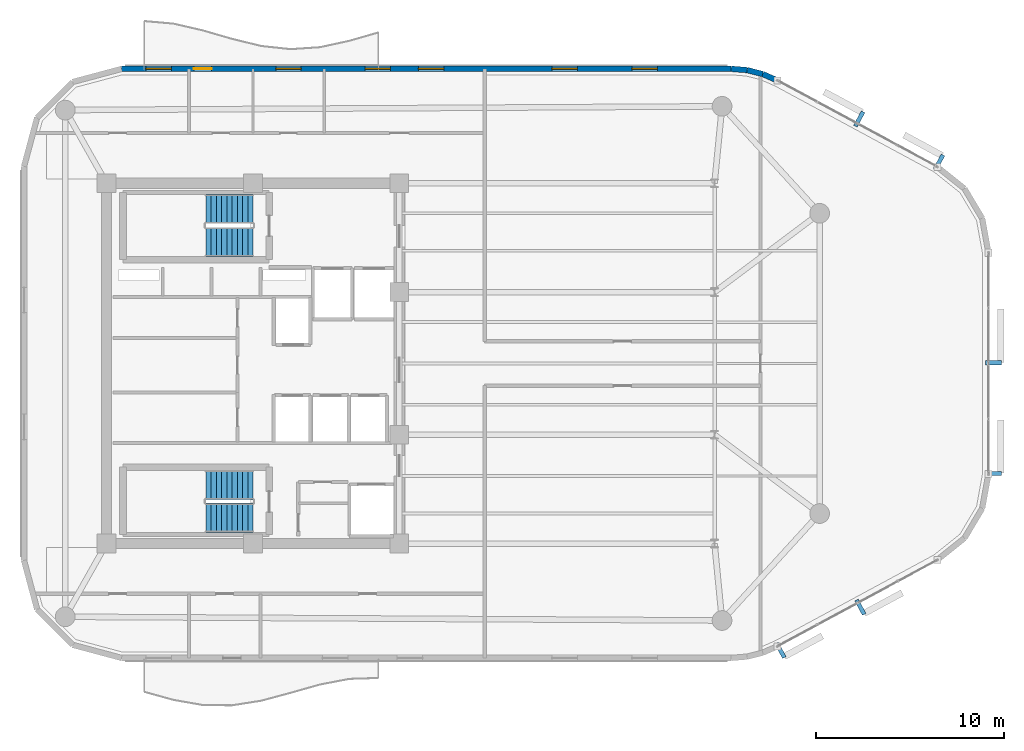
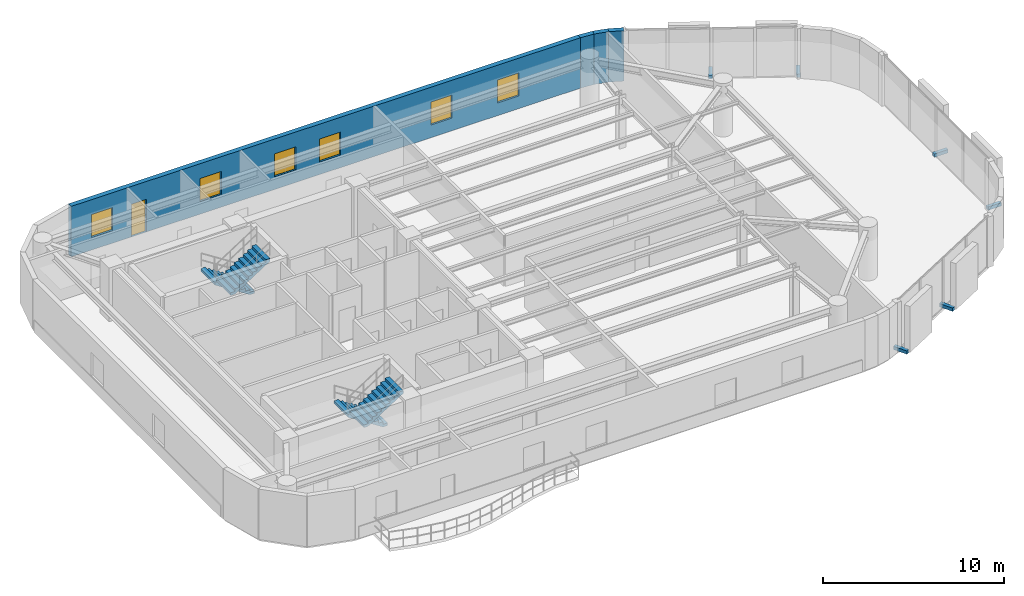
# One storey, part 11 of 13: 6 discrete accessories, 6 windows, 4 stair flights, 4 walls, 1 door, 7 openings, 2 elements without a shape of their own.
"""IFC4 building model written with IfcOpenShell, lengths in metres."""

from ifc_helpers import new_model, si_unit, direction, frame, frame_2d, origin, origin_2d, place, context, subcontext, project, spatial, polyline, rectangle, outline, extrude, material, layer, layer_set, type_object, element, fill, aggregate, save


model = new_model("IFC4")

# Units and contexts
model_context = context("Model", 3, precision=1e-05, world=origin(), true_north=direction((0.0, 1.0)))
body_context = subcontext(model_context, "Body", "Model", "MODEL_VIEW")
ifc_project = project(units=[si_unit("LENGTHUNIT", "METRE"), si_unit("AREAUNIT", "SQUARE_METRE"), si_unit("VOLUMEUNIT", "CUBIC_METRE"), si_unit("PLANEANGLEUNIT", "RADIAN"), si_unit("MASSUNIT", "GRAM", prefix="KILO")], contexts=[model_context])

# Site, building, storey
site_placement = place(None, origin())
site = spatial("IfcSite", under=ifc_project, at=site_placement, CompositionType="ELEMENT")
building_placement = place(site_placement, origin())
building = spatial("IfcBuilding", under=site, at=building_placement, Name="An Khanh Terracotta Commons", CompositionType="ELEMENT")
storey_placement = place(building_placement, frame((0.0, 0.0, 237.300048828125)))
storey = spatial("IfcBuildingStorey", under=building, at=storey_placement, Name="L62", CompositionType="ELEMENT", Elevation=237.300048828125)

# Walls
ifc_material_1 = material(Name="Precast concrete C40/50", Category="concrete")
ifc_layer = layer(ifc_material_1, 0.300048828125, Name="Precast concrete C40/50")
ifc_layer_set = layer_set([ifc_layer], Name="Precast concrete C40/50")
wall_type = type_object("IfcWallType", Name="WALL-EXT-300", PredefinedType="SOLIDWALL", material=ifc_layer_set)
wall_1_placement = place(storey_placement, frame((57.35693359375, 39.074951171875, 0.0), z_axis=(0.0, 0.0, 1.0), x_axis=(-0.916085473636, 0.400983048261, 0.0)))
element("IfcWall", 1, at=wall_1_placement, inside=storey, type_object=wall_type, Name="L62 Insulated Terracotta Exterior Wall 17", PredefinedType="SOLIDWALL", context=body_context, shape_type="SweptSolid", body=[
    extrude(rectangle(XDim=0.85791015625, YDim=0.300048828125, at=frame_2d((0.428955078125, 0.0))), origin(), (0.0, 0.0, 1.0), 3.39990234375),
])
wall_2_placement = place(storey_placement, frame((56.571044921875, 39.4189453125, 0.0), z_axis=(0.0, 0.0, 1.0), x_axis=(-0.969536346338, 0.244947490555, 0.0)))
element("IfcWall", 2, at=wall_2_placement, inside=storey, type_object=wall_type, Name="L62 Insulated Terracotta Exterior Wall 18", PredefinedType="SOLIDWALL", context=body_context, shape_type="SweptSolid", body=[
    extrude(rectangle(XDim=0.857177734375, YDim=0.300048828125, at=frame_2d((0.4287109375, 0.0))), origin(), (0.0, 0.0, 1.0), 3.39990234375),
])
wall_3_placement = place(storey_placement, frame((55.739990234375, 39.62890625, 0.0), z_axis=(0.0, 0.0, 1.0), x_axis=(-0.996565355958, 0.082809971041, 0.0)))
element("IfcWall", 3, at=wall_3_placement, inside=storey, type_object=wall_type, Name="L62 Insulated Terracotta Exterior Wall 19", PredefinedType="SOLIDWALL", context=body_context, shape_type="SweptSolid", body=[
    extrude(rectangle(XDim=0.85791015625, YDim=0.300048828125, at=frame_2d((0.428955078125, 0.0))), origin(), (0.0, 0.0, 1.0), 3.39990234375),
])

# Wall, openings, door, windows
wall_4_placement = place(storey_placement, frame((54.885009765625, 39.699951171875, 0.0), z_axis=(0.0, 0.0, 1.0), x_axis=(-1.0, 0.0, 0.0)))
wall_4 = element("IfcWall", 4, at=wall_4_placement, inside=storey, type_object=wall_type, Name="L62 Insulated Terracotta Exterior Wall 20", PredefinedType="SOLIDWALL", context=body_context, shape_type="SweptSolid", body=[
    extrude(rectangle(XDim=32.485107421875, YDim=0.300048828125, at=frame_2d((16.24267578125, 0.0))), origin(), (0.0, 0.0, 1.0), 3.39990234375),
])
opening_1_placement = place(wall_4_placement, frame((27.68505859375, 0.0, 0.0)))
opening_1 = element("IfcOpeningElement", 5, at=opening_1_placement, cuts=wall_4, Name="Opening D-BAL", PredefinedType="OPENING", context=body_context, shape_type="SweptSolid", body=[
    extrude(rectangle(XDim=0.949951171875, YDim=2.199951171875, at=frame_2d((0.47509765625, 1.10009765625))), frame((0.0, 0.159912109375, 0.0), z_axis=(0.0, -1.0, 0.0), x_axis=(1.0, 0.0, 0.0)), (0.0, 0.0, 1.0), 0.320068359375),
])
opening_2_placement = place(wall_4_placement, frame((3.93701171875, 0.0, 0.85009765625)))
opening_2 = element("IfcOpeningElement", 6, at=opening_2_placement, cuts=wall_4, Name="Opening W-04", PredefinedType="OPENING", context=body_context, shape_type="SweptSolid", body=[
    extrude(rectangle(XDim=1.35009765625, YDim=1.550048828125, at=frame_2d((0.675048828125, 0.77490234375))), frame((0.0, 0.159912109375, 0.0), z_axis=(0.0, -1.0, 0.0), x_axis=(1.0, 0.0, 0.0)), (0.0, 0.0, 1.0), 0.320068359375),
])
opening_3_placement = place(wall_4_placement, frame((8.197998046875, 0.0, 0.85009765625)))
opening_3 = element("IfcOpeningElement", 7, at=opening_3_placement, cuts=wall_4, Name="Opening W-04", PredefinedType="OPENING", context=body_context, shape_type="SweptSolid", body=[
    extrude(rectangle(XDim=1.35009765625, YDim=1.550048828125, at=frame_2d((0.675048828125, 0.77490234375))), frame((0.0, 0.159912109375, 0.0), z_axis=(0.0, -1.0, 0.0), x_axis=(1.0, 0.0, 0.0)), (0.0, 0.0, 1.0), 0.320068359375),
])
opening_4_placement = place(wall_4_placement, frame((15.31005859375, 0.0, 0.85009765625)))
opening_4 = element("IfcOpeningElement", 8, at=opening_4_placement, cuts=wall_4, Name="Opening W-04", PredefinedType="OPENING", context=body_context, shape_type="SweptSolid", body=[
    extrude(rectangle(XDim=1.35009765625, YDim=1.550048828125, at=frame_2d((0.675048828125, 0.77490234375))), frame((0.0, 0.159912109375, 0.0), z_axis=(0.0, -1.0, 0.0), x_axis=(1.0, 0.0, 0.0)), (0.0, 0.0, 1.0), 0.320068359375),
])
opening_5_placement = place(wall_4_placement, frame((18.159912109375, 0.0, 0.85009765625)))
opening_5 = element("IfcOpeningElement", 9, at=opening_5_placement, cuts=wall_4, Name="Opening W-04", PredefinedType="OPENING", context=body_context, shape_type="SweptSolid", body=[
    extrude(rectangle(XDim=1.35009765625, YDim=1.550048828125, at=frame_2d((0.675048828125, 0.77490234375))), frame((0.0, 0.159912109375, 0.0), z_axis=(0.0, -1.0, 0.0), x_axis=(1.0, 0.0, 0.0)), (0.0, 0.0, 1.0), 0.320068359375),
])
opening_6_placement = place(wall_4_placement, frame((22.909912109375, 0.0, 0.85009765625)))
opening_6 = element("IfcOpeningElement", 10, at=opening_6_placement, cuts=wall_4, Name="Opening W-04", PredefinedType="OPENING", context=body_context, shape_type="SweptSolid", body=[
    extrude(rectangle(XDim=1.35009765625, YDim=1.550048828125, at=frame_2d((0.675048828125, 0.77490234375))), frame((0.0, 0.159912109375, 0.0), z_axis=(0.0, -1.0, 0.0), x_axis=(1.0, 0.0, 0.0)), (0.0, 0.0, 1.0), 0.320068359375),
])
opening_7_placement = place(wall_4_placement, frame((29.8349609375, 0.0, 0.85009765625)))
opening_7 = element("IfcOpeningElement", 11, at=opening_7_placement, cuts=wall_4, Name="Opening W-04", PredefinedType="OPENING", context=body_context, shape_type="SweptSolid", body=[
    extrude(rectangle(XDim=1.35009765625, YDim=1.550048828125, at=frame_2d((0.675048828125, 0.77490234375))), frame((0.0, 0.159912109375, 0.0), z_axis=(0.0, -1.0, 0.0), x_axis=(1.0, 0.0, 0.0)), (0.0, 0.0, 1.0), 0.320068359375),
])
ifc_material_2 = material(Name="Thermally Broken Aluminium and Low-E Glass", Category="aluminium")
door_type = type_object("IfcDoorType", Name="DOOR-BALC-950", OperationType="NOTDEFINED", PredefinedType="DOOR", material=ifc_material_2)
door_placement = place(opening_1_placement, origin())
door = element("IfcDoor", 12, at=door_placement, inside=storey, type_object=door_type, Name="L62 N Wave Balcony Glazed Door", OperationType="SINGLE_SWING_RIGHT", OverallHeight=2.199951171875, OverallWidth=0.949951171875, PredefinedType="DOOR", context=body_context, shape_type="SweptSolid", body=[
    extrude(rectangle(XDim=0.949951171875, YDim=2.199951171875, at=frame_2d((0.47509765625, 1.10009765625))), frame((0.0, 0.02490234375, 0.0), z_axis=(0.0, -1.0, 0.0), x_axis=(1.0, 0.0, 0.0)), (0.0, 0.0, 1.0), 0.050048828125),
])
fill(opening_1, door)
window_type = type_object("IfcWindowType", Name="WIN-Z4-1350x1550", PartitioningType="SINGLE_PANEL", PredefinedType="WINDOW", material=ifc_material_2)
window_1_placement = place(opening_2_placement, origin())
window_1 = element("IfcWindow", 13, at=window_1_placement, inside=storey, type_object=window_type, Name="L62 Operable Casement Window 20.1", OverallHeight=1.550048828125, OverallWidth=1.35009765625, PartitioningType="SINGLE_PANEL", PredefinedType="WINDOW", context=body_context, shape_type="SweptSolid", body=[
    extrude(rectangle(XDim=1.35009765625, YDim=1.550048828125, at=frame_2d((0.675048828125, 0.77490234375))), frame((0.0, 0.030029296875, 0.0), z_axis=(0.0, -1.0, 0.0), x_axis=(1.0, 0.0, 0.0)), (0.0, 0.0, 1.0), 0.06005859375),
])
fill(opening_2, window_1)
window_2_placement = place(opening_3_placement, origin())
window_2 = element("IfcWindow", 14, at=window_2_placement, inside=storey, type_object=window_type, Name="L62 Operable Casement Window 20.2", OverallHeight=1.550048828125, OverallWidth=1.35009765625, PartitioningType="SINGLE_PANEL", PredefinedType="WINDOW", context=body_context, shape_type="SweptSolid", body=[
    extrude(rectangle(XDim=1.35009765625, YDim=1.550048828125, at=frame_2d((0.675048828125, 0.77490234375))), frame((0.0, 0.030029296875, 0.0), z_axis=(0.0, -1.0, 0.0), x_axis=(1.0, 0.0, 0.0)), (0.0, 0.0, 1.0), 0.06005859375),
])
fill(opening_3, window_2)
window_3_placement = place(opening_4_placement, origin())
window_3 = element("IfcWindow", 15, at=window_3_placement, inside=storey, type_object=window_type, Name="L62 Operable Casement Window 20.3", OverallHeight=1.550048828125, OverallWidth=1.35009765625, PartitioningType="SINGLE_PANEL", PredefinedType="WINDOW", context=body_context, shape_type="SweptSolid", body=[
    extrude(rectangle(XDim=1.35009765625, YDim=1.550048828125, at=frame_2d((0.675048828125, 0.77490234375))), frame((0.0, 0.030029296875, 0.0), z_axis=(0.0, -1.0, 0.0), x_axis=(1.0, 0.0, 0.0)), (0.0, 0.0, 1.0), 0.06005859375),
])
fill(opening_4, window_3)
window_4_placement = place(opening_5_placement, origin())
window_4 = element("IfcWindow", 16, at=window_4_placement, inside=storey, type_object=window_type, Name="L62 Operable Casement Window 20.4", OverallHeight=1.550048828125, OverallWidth=1.35009765625, PartitioningType="SINGLE_PANEL", PredefinedType="WINDOW", context=body_context, shape_type="SweptSolid", body=[
    extrude(rectangle(XDim=1.35009765625, YDim=1.550048828125, at=frame_2d((0.675048828125, 0.77490234375))), frame((0.0, 0.030029296875, 0.0), z_axis=(0.0, -1.0, 0.0), x_axis=(1.0, 0.0, 0.0)), (0.0, 0.0, 1.0), 0.06005859375),
])
fill(opening_5, window_4)
window_5_placement = place(opening_6_placement, origin())
window_5 = element("IfcWindow", 17, at=window_5_placement, inside=storey, type_object=window_type, Name="L62 Operable Casement Window 20.5", OverallHeight=1.550048828125, OverallWidth=1.35009765625, PartitioningType="SINGLE_PANEL", PredefinedType="WINDOW", context=body_context, shape_type="SweptSolid", body=[
    extrude(rectangle(XDim=1.35009765625, YDim=1.550048828125, at=frame_2d((0.675048828125, 0.77490234375))), frame((0.0, 0.030029296875, 0.0), z_axis=(0.0, -1.0, 0.0), x_axis=(1.0, 0.0, 0.0)), (0.0, 0.0, 1.0), 0.06005859375),
])
fill(opening_6, window_5)
window_6_placement = place(opening_7_placement, origin())
window_6 = element("IfcWindow", 18, at=window_6_placement, inside=storey, type_object=window_type, Name="L62 Operable Casement Window 20.6", OverallHeight=1.550048828125, OverallWidth=1.35009765625, PartitioningType="SINGLE_PANEL", PredefinedType="WINDOW", context=body_context, shape_type="SweptSolid", body=[
    extrude(rectangle(XDim=1.35009765625, YDim=1.550048828125, at=frame_2d((0.675048828125, 0.77490234375))), frame((0.0, 0.030029296875, 0.0), z_axis=(0.0, -1.0, 0.0), x_axis=(1.0, 0.0, 0.0)), (0.0, 0.0, 1.0), 0.06005859375),
])
fill(opening_7, window_6)

# Stair, stair flights
stair_type = type_object("IfcStairType", Name="STAIR-CORE-1550", PredefinedType="HALF_TURN_STAIR", material=ifc_material_1)
stair_1_placement = place(storey_placement, origin())
stair_1 = element("IfcStair", 19, at=stair_1_placement, inside=storey, type_object=stair_type, Name="L62 Core Smokeproof Exit Stair ST-01", PredefinedType="HALF_TURN_STAIR")
stair_flight_type = type_object("IfcStairFlightType", Name="FLIGHT-CORE-1550", PredefinedType="STRAIGHT", material=ifc_material_1)
stair_flight_1_placement = place(storey_placement, frame((29.409912109375, 32.22509765625, 0.0), z_axis=(0.0, 0.0, 1.0), x_axis=(-1.0, 0.0, 0.0)))
stair_flight_1 = element("IfcStairFlight", 20, at=stair_flight_1_placement, type_object=stair_flight_type, Name="ST-01 flight 1", NumberOfRisers=10, NumberOfTreads=9, PredefinedType="STRAIGHT", RiserHeight=0.18, TreadLength=0.28, context=body_context, shape_type="SweptSolid", body=[
    extrude(outline(polyline([(0.0, 0.0), (0.0, 0.179931640625), (0.280029296875, 0.179931640625), (0.280029296875, 0.360107421875), (0.56005859375, 0.360107421875), (0.56005859375, 0.5400390625), (0.840087890625, 0.5400390625), (0.840087890625, 0.719970703125), (1.1201171875, 0.719970703125), (1.1201171875, 0.89990234375), (1.39990234375, 0.89990234375), (1.39990234375, 1.080078125), (1.679931640625, 1.080078125), (1.679931640625, 1.260009765625), (1.9599609375, 1.260009765625), (1.9599609375, 1.43994140625), (2.239990234375, 1.43994140625), (2.239990234375, 1.6201171875), (2.52001953125, 1.6201171875), (2.52001953125, 1.800048828125), (2.52001953125, 1.44189453125), (0.277099609375, 0.0), (0.0, 0.0)])), frame((0.0, 0.77490234375, 0.0), z_axis=(0.0, -1.0, 0.0), x_axis=(1.0, 0.0, 0.0)), (0.0, 0.0, 1.0), 1.550048828125),
])
stair_flight_2_placement = place(storey_placement, frame((26.889892578125, 30.47509765625, 1.800048828125), z_axis=(0.0, 0.0, 1.0), x_axis=(1.0, 0.0, 0.0)))
stair_flight_2 = element("IfcStairFlight", 21, at=stair_flight_2_placement, type_object=stair_flight_type, Name="ST-01 flight 2", NumberOfRisers=10, NumberOfTreads=9, PredefinedType="STRAIGHT", RiserHeight=0.18, TreadLength=0.28, context=body_context, shape_type="SweptSolid", body=[
    extrude(outline(polyline([(0.0, 0.0), (0.0, 0.179931640625), (0.280029296875, 0.179931640625), (0.280029296875, 0.360107421875), (0.56005859375, 0.360107421875), (0.56005859375, 0.5400390625), (0.840087890625, 0.5400390625), (0.840087890625, 0.719970703125), (1.1201171875, 0.719970703125), (1.1201171875, 0.89990234375), (1.39990234375, 0.89990234375), (1.39990234375, 1.080078125), (1.679931640625, 1.080078125), (1.679931640625, 1.260009765625), (1.9599609375, 1.260009765625), (1.9599609375, 1.43994140625), (2.239990234375, 1.43994140625), (2.239990234375, 1.6201171875), (2.52001953125, 1.6201171875), (2.52001953125, 1.800048828125), (2.52001953125, 1.44189453125), (0.277099609375, 0.0), (0.0, 0.0)])), frame((0.0, 0.77490234375, 0.0), z_axis=(0.0, -1.0, 0.0), x_axis=(1.0, 0.0, 0.0)), (0.0, 0.0, 1.0), 1.550048828125),
])
aggregate(stair_1, [stair_flight_1, stair_flight_2])

stair_2_placement = place(storey_placement, origin())
stair_2 = element("IfcStair", 22, at=stair_2_placement, inside=storey, type_object=stair_type, Name="L62 Core Smokeproof Exit Stair ST-02", PredefinedType="HALF_TURN_STAIR")
stair_flight_3_placement = place(storey_placement, frame((29.409912109375, 17.52490234375, 0.0), z_axis=(0.0, 0.0, 1.0), x_axis=(-1.0, 0.0, 0.0)))
stair_flight_3 = element("IfcStairFlight", 23, at=stair_flight_3_placement, type_object=stair_flight_type, Name="ST-02 flight 1", NumberOfRisers=10, NumberOfTreads=9, PredefinedType="STRAIGHT", RiserHeight=0.18, TreadLength=0.28, context=body_context, shape_type="SweptSolid", body=[
    extrude(outline(polyline([(0.0, 0.0), (0.0, 0.179931640625), (0.280029296875, 0.179931640625), (0.280029296875, 0.360107421875), (0.56005859375, 0.360107421875), (0.56005859375, 0.5400390625), (0.840087890625, 0.5400390625), (0.840087890625, 0.719970703125), (1.1201171875, 0.719970703125), (1.1201171875, 0.89990234375), (1.39990234375, 0.89990234375), (1.39990234375, 1.080078125), (1.679931640625, 1.080078125), (1.679931640625, 1.260009765625), (1.9599609375, 1.260009765625), (1.9599609375, 1.43994140625), (2.239990234375, 1.43994140625), (2.239990234375, 1.6201171875), (2.52001953125, 1.6201171875), (2.52001953125, 1.800048828125), (2.52001953125, 1.44189453125), (0.277099609375, 0.0), (0.0, 0.0)])), frame((0.0, 0.77490234375, 0.0), z_axis=(0.0, -1.0, 0.0), x_axis=(1.0, 0.0, 0.0)), (0.0, 0.0, 1.0), 1.550048828125),
])
stair_flight_4_placement = place(storey_placement, frame((26.889892578125, 15.77490234375, 1.800048828125), z_axis=(0.0, 0.0, 1.0), x_axis=(1.0, 0.0, 0.0)))
stair_flight_4 = element("IfcStairFlight", 24, at=stair_flight_4_placement, type_object=stair_flight_type, Name="ST-02 flight 2", NumberOfRisers=10, NumberOfTreads=9, PredefinedType="STRAIGHT", RiserHeight=0.18, TreadLength=0.28, context=body_context, shape_type="SweptSolid", body=[
    extrude(outline(polyline([(0.0, 0.0), (0.0, 0.179931640625), (0.280029296875, 0.179931640625), (0.280029296875, 0.360107421875), (0.56005859375, 0.360107421875), (0.56005859375, 0.5400390625), (0.840087890625, 0.5400390625), (0.840087890625, 0.719970703125), (1.1201171875, 0.719970703125), (1.1201171875, 0.89990234375), (1.39990234375, 0.89990234375), (1.39990234375, 1.080078125), (1.679931640625, 1.080078125), (1.679931640625, 1.260009765625), (1.9599609375, 1.260009765625), (1.9599609375, 1.43994140625), (2.239990234375, 1.43994140625), (2.239990234375, 1.6201171875), (2.52001953125, 1.6201171875), (2.52001953125, 1.800048828125), (2.52001953125, 1.44189453125), (0.277099609375, 0.0), (0.0, 0.0)])), frame((0.0, 0.77490234375, 0.0), z_axis=(0.0, -1.0, 0.0), x_axis=(1.0, 0.0, 0.0)), (0.0, 0.0, 1.0), 1.550048828125),
])
aggregate(stair_2, [stair_flight_3, stair_flight_4])

# Discrete accessories
ifc_material_3 = material(Name="Stainless Steel Grade 316L", Category="steel")
discrete_accessory_type = type_object("IfcDiscreteAccessoryType", Name="Stainless Outrigger Facade Bracket", PredefinedType="BRACKET", material=ifc_material_3)
for number, where, z_axis, x_axis, name in (
    (25, (57.513916015625, 8.7080078125, 0.06982421875), (0.0, 0.0, 1.0), (0.879780095306, 0.47538088298, 0.0), "L62 Terracotta Screen Outrigger Bracket 1"),
    (26, (61.77099609375, 11.009033203125, 0.06982421875), (0.0, 0.0, 1.0), (0.879780095306, 0.47538088298, 0.0), "L62 Terracotta Screen Outrigger Bracket 3"),
    (27, (68.864990234375, 18.135986328125, 0.06982421875), (0.0, 0.0, 1.0), (0.0, 1.0, 0.0), "L62 Terracotta Screen Outrigger Bracket 1"),
    (28, (68.864990234375, 24.034912109375, 0.06982421875), (0.0, 0.0, 1.0), (0.0, 1.0, 0.0), "L62 Terracotta Screen Outrigger Bracket 3"),
    (29, (65.967041015625, 34.72412109375, 0.06982421875), (0.0, 0.0, 1.0), (-0.879780095306, 0.47538088298, 0.0), "L62 Terracotta Screen Outrigger Bracket 1"),
    (30, (61.7099609375, 37.02392578125, 0.06982421875), (0.0, 0.0, 1.0), (-0.879780095306, 0.47538088298, 0.0), "L62 Terracotta Screen Outrigger Bracket 3"),
):
    element("IfcDiscreteAccessory", number, at=place(storey_placement, frame(where, z_axis=z_axis, x_axis=x_axis)), inside=storey, type_object=discrete_accessory_type, Name=name, PredefinedType="BRACKET", context=body_context, shape_type="SweptSolid", body=[
        extrude(rectangle(XDim=0.219970703125, YDim=0.8701171875, at=origin_2d()), origin(), (0.0, 0.0, 1.0), 0.219970703125),
    ])

save(model, "model.ifc")
